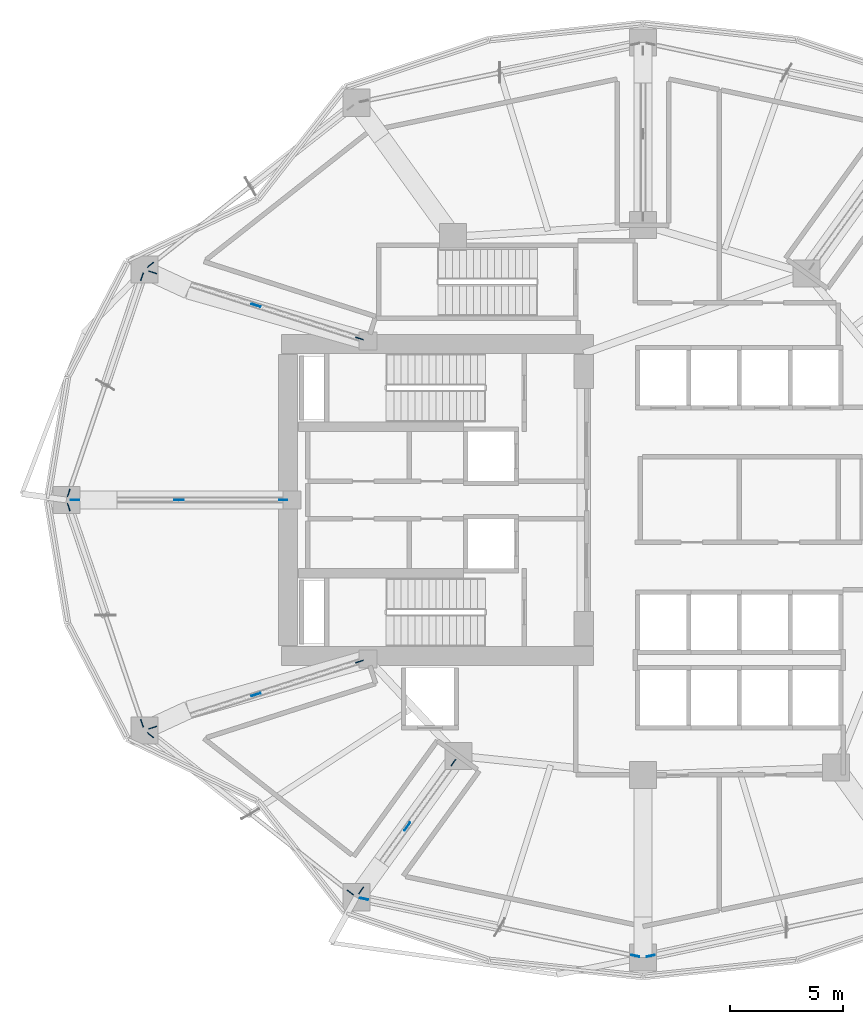
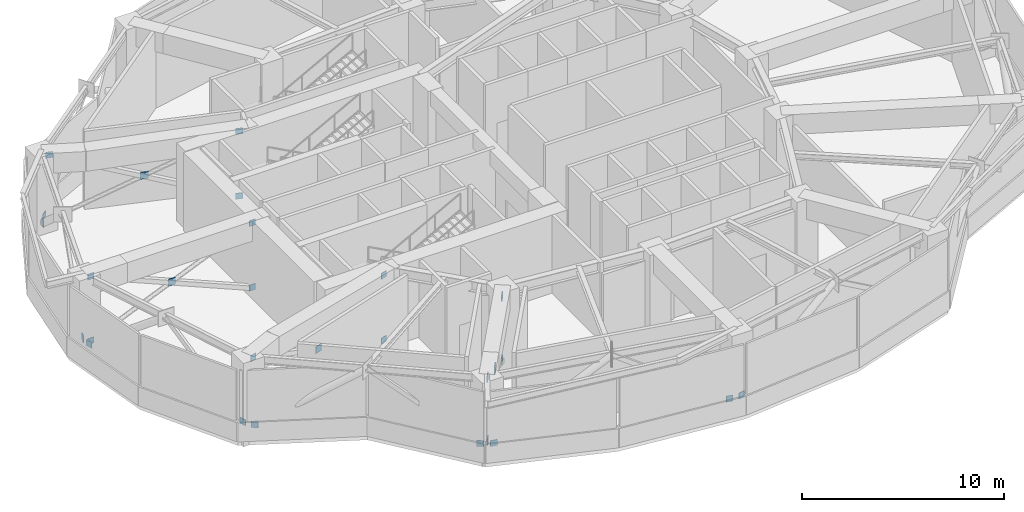
# One storey, part 4 of 12: 28 plates.
"""IFC4 building model written with IfcOpenShell, lengths in metres."""

from ifc_helpers import new_model, si_unit, direction, frame, origin, origin_2d, place, context, subcontext, project, spatial, rectangle, extrude, material, layer, layer_set, type_object, element, save


model = new_model("IFC4")

# Units and contexts
model_context = context("Model", 3, precision=1e-05, world=origin(), true_north=direction((0.0, 1.0)))
body_context = subcontext(model_context, "Body", "Model", "MODEL_VIEW")
ifc_project = project(units=[si_unit("LENGTHUNIT", "METRE"), si_unit("AREAUNIT", "SQUARE_METRE"), si_unit("VOLUMEUNIT", "CUBIC_METRE"), si_unit("PLANEANGLEUNIT", "RADIAN"), si_unit("MASSUNIT", "GRAM", prefix="KILO")], contexts=[model_context])

# Site, building, storey
site_placement = place(None, origin())
site = spatial("IfcSite", under=ifc_project, at=site_placement, CompositionType="ELEMENT")
building_placement = place(site_placement, origin())
building = spatial("IfcBuilding", under=site, at=building_placement, Name="Kolvaren Gate Tower and Convention Centre", CompositionType="ELEMENT")
storey_placement = place(building_placement, frame((0.0, 0.0, 95.800048828125)))
storey = spatial("IfcBuildingStorey", under=building, at=storey_placement, Name="L23", CompositionType="ELEMENT", Elevation=95.800048828125)

# Plates
ifc_material = material(Name="Structural steel plate ASTM A572 Grade 345 MPa", Category="steel")
ifc_layer_1 = layer(ifc_material, 0.035888671875)
ifc_layer_set_1 = layer_set([ifc_layer_1], Name="Structural steel plate ASTM A572 Grade 345 MPa")
plate_type_1 = type_object("IfcPlateType", Name="STR-PL-END-36", PredefinedType="USERDEFINED", material=ifc_layer_set_1)
for number, where, z_axis, x_axis, name in (
    (1, (8.2705078125, 37.430908203125, 0.3125), (0.0, 0.0, 1.0), (0.785480062546, 0.618886961684, 0.0), "Structural Brace End Connection Gusset Plate EGP-218"),
    (2, (7.895263671875, 36.90576171875, 0.3291015625), (0.0, 0.0, 1.0), (-0.321011381919, -0.947075336327, 0.0), "Structural Brace End Connection Gusset Plate EGP-219"),
    (3, (4.6435546875, 27.31298828125, 0.3291015625), (0.0, 0.0, 1.0), (0.321027911453, 0.947069733477, 0.0), "Structural Brace End Connection Gusset Plate EGP-220"),
    (4, (4.6435546875, 26.68701171875, 0.3291015625), (0.0, 0.0, 1.0), (0.321027911453, -0.947069733477, 0.0), "Structural Brace End Connection Gusset Plate EGP-221"),
    (5, (7.895263671875, 17.09423828125, 0.3291015625), (0.0, 0.0, 1.0), (-0.321011381919, 0.947075336327, 0.0), "Structural Brace End Connection Gusset Plate EGP-222"),
    (6, (8.2705078125, 16.569091796875, 0.3125), (0.0, 0.0, 1.0), (0.78546494005, -0.618906154398, 0.0), "Structural Brace End Connection Gusset Plate EGP-223"),
    (7, (17.13427734375, 9.585205078125, 0.3125), (0.0, 0.0, 1.0), (-0.785473581534, 0.618895187178, 0.0), "Structural Brace End Connection Gusset Plate EGP-224"),
    (8, (17.748046875, 9.300537109375, 0.29931640625), (0.0, 0.0, 1.0), (0.978633330067, -0.205613241991, 0.0), "Structural Brace End Connection Gusset Plate EGP-225"),
    (9, (29.780517578125, 6.7724609375, 0.29931640625), (0.0, 0.0, 1.0), (-0.978630100181, 0.205628614302, 0.0), "Structural Brace End Connection Gusset Plate EGP-226"),
    (10, (30.469482421875, 6.7724609375, 0.29931640625), (0.0, 0.0, 1.0), (0.978630100181, 0.205628614302, 0.0), "Structural Brace End Connection Gusset Plate EGP-227"),
    (11, (17.54345703125, 34.16845703125, 0.22802734375), (0.0, 0.0, 1.0), (-0.952521823155, 0.304470321071, 0.0), "Structural Brace End Connection Gusset Plate EGP-233"),
    (12, (8.37158203125, 37.10009765625, 4.14697265625), (0.0, 0.0, 1.0), (-0.952521823155, 0.304470321071, 0.0), "Structural Brace End Connection Gusset Plate EGP-234"),
    (13, (17.54345703125, 34.16845703125, 4.14697265625), (0.0, 0.0, 1.0), (0.952521823155, -0.304470321071, 0.0), "Structural Brace End Connection Gusset Plate EGP-235"),
    (14, (14.1630859375, 27.0, 0.2333984375), (0.0, 0.0, 1.0), (-1.0, 0.0, 0.0), "Structural Brace End Connection Gusset Plate EGP-236"),
    (15, (4.92431640625, 27.0, 4.1416015625), (0.0, 0.0, 1.0), (-1.0, 0.0, 0.0), "Structural Brace End Connection Gusset Plate EGP-237"),
    (16, (4.92431640625, 27.0, 0.2333984375), (0.0, 0.0, 1.0), (1.0, 0.0, 0.0), "Structural Brace End Connection Gusset Plate EGP-238"),
    (17, (14.1630859375, 27.0, 4.1416015625), (0.0, 0.0, 1.0), (1.0, 0.0, 0.0), "Structural Brace End Connection Gusset Plate EGP-239"),
    (18, (17.54345703125, 19.83154296875, 0.22802734375), (0.0, 0.0, 1.0), (-0.952521823155, -0.304470321071, 0.0), "Structural Brace End Connection Gusset Plate EGP-240"),
    (19, (8.37158203125, 16.89990234375, 4.14697265625), (0.0, 0.0, 1.0), (-0.952521823155, -0.304470321071, 0.0), "Structural Brace End Connection Gusset Plate EGP-241"),
    (20, (17.54345703125, 19.83154296875, 4.14697265625), (0.0, 0.0, 1.0), (0.952521823155, 0.304470321071, 0.0), "Structural Brace End Connection Gusset Plate EGP-242"),
    (21, (21.716552734375, 15.348876953125, 0.271484375), (0.0, 0.0, 1.0), (-0.58521669508, -0.810876944918, 0.0), "Structural Brace End Connection Gusset Plate EGP-251"),
    (22, (17.619140625, 9.671630859375, 4.103515625), (0.0, 0.0, 1.0), (-0.58521669508, -0.810876944918, 0.0), "Structural Brace End Connection Gusset Plate EGP-252"),
    (23, (17.619140625, 9.671630859375, 0.271484375), (0.0, 0.0, 1.0), (0.585230847463, 0.810866730837, 0.0), "Structural Brace End Connection Gusset Plate EGP-253"),
    (24, (21.716552734375, 15.348876953125, 4.103515625), (0.0, 0.0, 1.0), (0.585201127252, 0.810888180123, 0.0), "Structural Brace End Connection Gusset Plate EGP-254"),
):
    element("IfcPlate", number, at=place(storey_placement, frame(where, z_axis=z_axis, x_axis=x_axis)), inside=storey, type_object=plate_type_1, Name=name, ObjectType="GUSSET PLATE", PredefinedType="USERDEFINED", context=body_context, shape_type="SweptSolid", body=[
        extrude(rectangle(XDim=0.360107421875, YDim=0.035888671875, at=origin_2d()), origin(), (0.0, 0.0, 1.0), 0.360107421875),
    ])
ifc_layer_2 = layer(ifc_material, 0.035888671875)
ifc_layer_set_2 = layer_set([ifc_layer_2], Name="Structural steel plate ASTM A572 Grade 345 MPa")
plate_type_2 = type_object("IfcPlateType", Name="STR-PL-GUSSET-36", PredefinedType="USERDEFINED", material=ifc_layer_set_2)
for number, where, z_axis, x_axis, name in (
    (25, (12.95751953125, 35.63427734375, 2.15771484375), (0.0, 0.0, 1.0), (-0.952521823155, 0.304470321071, 0.0), "Outrigger Crossing Gusset Plate GP-OUT-L23-01X"),
    (26, (9.543701171875, 27.0, 2.15771484375), (0.0, 0.0, 1.0), (-1.0, 0.0, 0.0), "Outrigger Crossing Gusset Plate GP-OUT-L23-02X"),
    (27, (12.95751953125, 18.36572265625, 2.15771484375), (0.0, 0.0, 1.0), (-0.952521823155, -0.304470321071, 0.0), "Outrigger Crossing Gusset Plate GP-OUT-L23-03X"),
    (28, (19.66796875, 12.51025390625, 2.15771484375), (0.0, 0.0, 1.0), (-0.58521669508, -0.810876944918, 0.0), "Outrigger Crossing Gusset Plate GP-OUT-L23-06X"),
):
    element("IfcPlate", number, at=place(storey_placement, frame(where, z_axis=z_axis, x_axis=x_axis)), inside=storey, type_object=plate_type_2, Name=name, ObjectType="GUSSET PLATE", PredefinedType="USERDEFINED", context=body_context, shape_type="SweptSolid", body=[
        extrude(rectangle(XDim=0.419921875, YDim=0.035888671875, at=origin_2d()), origin(), (0.0, 0.0, 1.0), 0.419921875),
    ])

save(model, "model.ifc")
